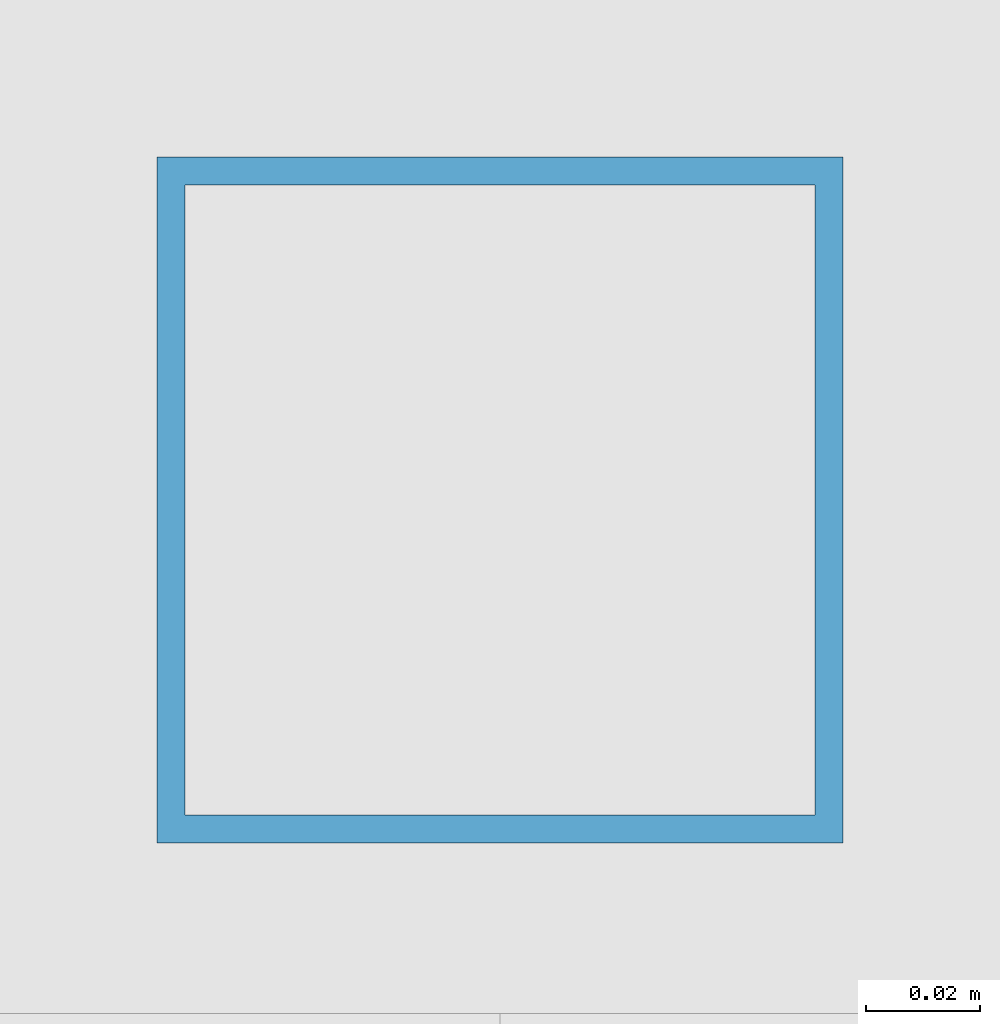
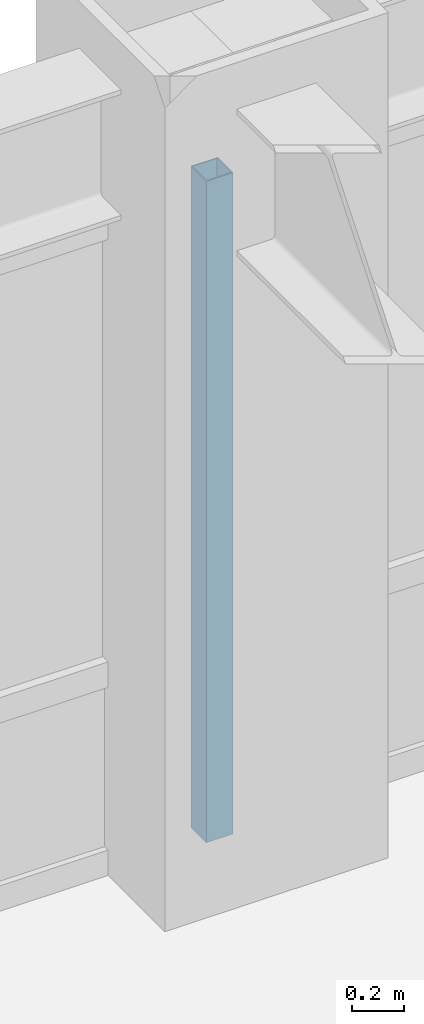
# One storey, part 16 of 29: 1 member, 1 element without a shape of its own.
"""IFC4 building model written with IfcOpenShell, lengths in metres."""

import ifcopenshell
import ifcopenshell.guid

model = None  # the IFC model being written
_history = None  # IfcOwnerHistory: only IFC2X3 demands one
_inside = {}  # id of a spatial element -> (the spatial element, [elements in it])
_under = {}  # id of a project, library or spatial element -> (it, [spatial elements below it])
_declared = {}  # id of a project -> (the project, [libraries it declares])
_typed = {}  # id of a type object -> (the type object, [elements of that type])
_made_of = {}  # id of a material, layer set ... -> (it, [elements and type objects made of it])


def new_model(schema):
    """Start an empty IFC model of exactly this schema.

    Asked for "IFC4X3", IfcOpenShell would pick the latest addendum, in which some entities
    have other attributes; the version numbers below select the first issue.
    IFC2X3 requires an IfcOwnerHistory on every rooted entity: one is made here for all.
    """
    global model, _history
    if schema == "IFC4X3":
        model = ifcopenshell.file(schema_version=(4, 3, 0, 0))
    else:
        model = ifcopenshell.file(schema=schema)
    _inside.clear()
    _under.clear()
    _declared.clear()
    _typed.clear()
    _made_of.clear()
    _history = None
    if model.schema == "IFC2X3":
        org = make("IfcOrganization", Name="unknown")
        user = make(
            "IfcPersonAndOrganization",
            ThePerson=make("IfcPerson", FamilyName="unknown"),
            TheOrganization=org,
        )
        app = make(
            "IfcApplication",
            ApplicationDeveloper=org,
            Version="unknown",
            ApplicationFullName="unknown",
            ApplicationIdentifier="unknown",
        )
        _history = make(
            "IfcOwnerHistory",
            OwningUser=user,
            OwningApplication=app,
            ChangeAction="ADDED",
            CreationDate=0,
        )
    return model


def make(cls, **values):
    """One entity of the class cls with the attributes given. An attribute that is None is left unset."""
    return model.create_entity(
        cls, **{name: value for name, value in values.items() if value is not None}
    )


def rooted(cls, **values):
    """An entity with a GlobalId (a new one), such as an element, a storey or a relation."""
    return make(cls, GlobalId=ifcopenshell.guid.new(), OwnerHistory=_history, **values)


def si_unit(unit_type, name, prefix=None):
    """IfcSIUnit, for example si_unit("LENGTHUNIT", "METRE", prefix="MILLI")."""
    return make("IfcSIUnit", UnitType=unit_type, Prefix=prefix, Name=name)


def assignment(units):
    """IfcUnitAssignment: the units of a project."""
    return None if units is None else make("IfcUnitAssignment", Units=units)


def point(xyz):
    """IfcCartesianPoint."""
    return None if xyz is None else make("IfcCartesianPoint", Coordinates=xyz)


def direction(xyz):
    """IfcDirection."""
    return None if xyz is None else make("IfcDirection", DirectionRatios=xyz)


def frame(location, z_axis=None, x_axis=None):
    """IfcAxis2Placement3D, a coordinate frame: its origin and axes. An axis left out is left unset."""
    return make(
        "IfcAxis2Placement3D",
        Location=point(location),
        Axis=direction(z_axis),
        RefDirection=direction(x_axis),
    )


def frame_2d(location, x_axis=None):
    """IfcAxis2Placement2D, a coordinate frame in the plane: its origin and x axis."""
    return make(
        "IfcAxis2Placement2D", Location=point(location), RefDirection=direction(x_axis)
    )


def origin():
    """The frame at (0, 0, 0) with its axes left unset."""
    return frame((0.0, 0.0, 0.0))


def origin_2d():
    """The frame at (0, 0) in the plane with its x axis left unset."""
    return frame_2d((0.0, 0.0))


def place(relative_to, where):
    """IfcLocalPlacement: puts the frame where relative to a parent placement (None: the world)."""
    return make(
        "IfcLocalPlacement", PlacementRelTo=relative_to, RelativePlacement=where
    )


def context(
    kind, dimensions, precision=None, world=None, true_north=None, identifier=None
):
    """IfcGeometricRepresentationContext, for example the 3D "Model" context."""
    return make(
        "IfcGeometricRepresentationContext",
        ContextIdentifier=identifier,
        ContextType=kind,
        CoordinateSpaceDimension=dimensions,
        Precision=precision,
        WorldCoordinateSystem=world,
        TrueNorth=true_north,
    )


def subcontext(parent, identifier, kind, view, scale=None):
    """IfcGeometricRepresentationSubContext, for example "Body" below "Model"."""
    return make(
        "IfcGeometricRepresentationSubContext",
        ContextIdentifier=identifier,
        ContextType=kind,
        ParentContext=parent,
        TargetScale=scale,
        TargetView=view,
    )


def project(units=None, contexts=None):
    """IfcProject with its units and contexts."""
    return rooted(
        "IfcProject",
        Name="project",
        RepresentationContexts=contexts,
        UnitsInContext=assignment(units),
    )


def spatial(cls, under=None, at=None, **own):
    """A site, building, storey or space (cls), placed at a placement, below another one or the project."""
    s = rooted(cls, ObjectPlacement=at, **own)
    if under is not None:
        _under.setdefault(under.id(), (under, []))[1].append(s)
    return s


def profile(cls, at=None, kind="AREA", **sizes):
    """A parametric profile (cls). Its sizes go by their IFC names, for example OverallWidth=200.0."""
    return make(cls, ProfileType=kind, Position=at, **sizes)


def hollow_rectangle(**sizes):
    """IfcRectangleHollowProfileDef."""
    return profile("IfcRectangleHollowProfileDef", **sizes)


def extrude(swept, where, along, depth):
    """IfcExtrudedAreaSolid: the profile swept, set in the frame where, extruded along a direction by depth."""
    return make(
        "IfcExtrudedAreaSolid",
        SweptArea=swept,
        Position=where,
        ExtrudedDirection=direction(along),
        Depth=depth,
    )


def shape(context_of_items, identifier, shape_type, items):
    """IfcShapeRepresentation: the items that make up one representation, for example the "Body"."""
    return make(
        "IfcShapeRepresentation",
        ContextOfItems=context_of_items,
        RepresentationIdentifier=identifier,
        RepresentationType=shape_type,
        Items=items,
    )


def source(mapping_origin, context_of_items, identifier, shape_type, items):
    """IfcRepresentationMap: a shape defined once, which mapped items show again and again."""
    return make(
        "IfcRepresentationMap",
        MappingOrigin=mapping_origin,
        MappedRepresentation=shape(context_of_items, identifier, shape_type, items),
    )


def transform(
    local_origin,
    x_axis=None,
    y_axis=None,
    z_axis=None,
    scale=None,
    scale2=None,
    scale3=None,
    uniform=True,
):
    """IfcCartesianTransformationOperator3D, or its non-uniform kind. x_axis, y_axis, z_axis: its Axis1, 2, 3."""
    if uniform:
        return make(
            "IfcCartesianTransformationOperator3D",
            Axis1=direction(x_axis),
            Axis2=direction(y_axis),
            LocalOrigin=point(local_origin),
            Scale=scale,
            Axis3=direction(z_axis),
        )
    return make(
        "IfcCartesianTransformationOperator3DnonUniform",
        Axis1=direction(x_axis),
        Axis2=direction(y_axis),
        LocalOrigin=point(local_origin),
        Scale=scale,
        Axis3=direction(z_axis),
        Scale2=scale2,
        Scale3=scale3,
    )


def mapped(mapping_source, mapping_target):
    """IfcMappedItem: shows the shape of a source again, moved by a transform."""
    return make(
        "IfcMappedItem", MappingSource=mapping_source, MappingTarget=mapping_target
    )


def material(Name=None, Category=None):
    """IfcMaterial."""
    return make("IfcMaterial", Name=Name, Category=Category)


def material_profile(
    of_material, cross_section, Name=None, Category=None, Priority=None
):
    """IfcMaterialProfile: a cross section and its material."""
    return make(
        "IfcMaterialProfile",
        Name=Name,
        Material=of_material,
        Profile=cross_section,
        Priority=Priority,
        Category=Category,
    )


def profile_set(profiles, Name=None, composite=None):
    """IfcMaterialProfileSet."""
    return make(
        "IfcMaterialProfileSet",
        Name=Name,
        MaterialProfiles=profiles,
        CompositeProfile=composite,
    )


def made_of(thing, what):
    """Note that an element or type object is made of a material, layer set ...; save() writes the relation."""
    if what is not None:
        _made_of.setdefault(what.id(), (what, []))[1].append(thing)
    return thing


def type_object(cls, material=None, **own):
    """A type object (cls), such as IfcWallType, which elements share."""
    return made_of(rooted(cls, **own), material)


def element(
    cls,
    number,
    at=None,
    inside=None,
    cuts=None,
    type_object=None,
    material=None,
    context=None,
    identifier="Body",
    shape_type=None,
    held_by="IfcProductDefinitionShape",
    body=None,
    shapes=None,
    **own,
):
    """One element of the class cls, such as IfcWall. Its Tag is "e" and its number.

    at: its placement. inside: the storey or other place that contains it. cuts: it is an
    opening in that element (IfcRelVoidsElement). A single representation is given by context,
    identifier, shape_type and body (its items); several are given by shapes. held_by: the class
    of the entity that holds the representations. save() writes the other relations.
    """
    e = rooted(cls, Tag="e%d" % number, ObjectPlacement=at, **own)
    if body is not None:
        shapes = [shape(context, identifier, shape_type, body)]
    if shapes is not None:
        e.Representation = make(held_by, Representations=shapes)
    if inside is not None:
        _inside.setdefault(inside.id(), (inside, []))[1].append(e)
    if cuts is not None:
        rooted(
            "IfcRelVoidsElement", RelatingBuildingElement=cuts, RelatedOpeningElement=e
        )
    if type_object is not None:
        _typed.setdefault(type_object.id(), (type_object, []))[1].append(e)
    return made_of(e, material)


def aggregate(whole, parts):
    """IfcRelAggregates: a whole, such as a stair, and the parts it consists of."""
    return rooted("IfcRelAggregates", RelatingObject=whole, RelatedObjects=parts)


def save(model, path):
    """Write the relations noted so far, then the file.

    IfcRelAggregates (storeys below a building ...), IfcRelContainedInSpatialStructure (elements
    in a storey), IfcRelDefinesByType, IfcRelAssociatesMaterial and IfcRelDeclares: one each for
    every whole, place, type object, material and project.
    """
    for whole, parts in _under.values():
        aggregate(whole, parts)
    for where, things in _inside.values():
        rooted(
            "IfcRelContainedInSpatialStructure",
            RelatedElements=things,
            RelatingStructure=where,
        )
    for kind, things in _typed.values():
        rooted("IfcRelDefinesByType", RelatedObjects=things, RelatingType=kind)
    for what, things in _made_of.values():
        rooted("IfcRelAssociatesMaterial", RelatedObjects=things, RelatingMaterial=what)
    for by, libraries in _declared.values():
        rooted("IfcRelDeclares", RelatingContext=by, RelatedDefinitions=libraries)
    model.write(path)


model = new_model("IFC4")

# Units and contexts
model_context = context("Model", 3, precision=1e-05, world=origin(), true_north=direction((0.0, 1.0)))
body_context = subcontext(model_context, "Body", "Model", "MODEL_VIEW")
ifc_project = project(units=[si_unit("LENGTHUNIT", "METRE"), si_unit("AREAUNIT", "SQUARE_METRE"), si_unit("VOLUMEUNIT", "CUBIC_METRE"), si_unit("PLANEANGLEUNIT", "RADIAN"), si_unit("MASSUNIT", "GRAM", prefix="KILO")], contexts=[model_context])

# Site, building, storey
site_placement = place(None, origin())
site = spatial("IfcSite", under=ifc_project, at=site_placement, CompositionType="ELEMENT")
building_placement = place(site_placement, origin())
building = spatial("IfcBuilding", under=site, at=building_placement, Name="Khorayat Bourse Tower", CompositionType="ELEMENT")
storey_placement = place(building_placement, frame((0.0, 0.0, 243.10009765625)))
storey = spatial("IfcBuildingStorey", under=building, at=storey_placement, Name="L57", CompositionType="ELEMENT", Elevation=243.10009765625)

# Curtain wall, member
ifc_material = material(Name="Aluminium EN AW-6063 T6", Category="aluminium")
curtain_wall_type = type_object("IfcCurtainWallType", Name="CW-SYS-03", PredefinedType="NOTDEFINED", material=ifc_material)
curtain_wall_placement = place(storey_placement, origin())
curtain_wall = element("IfcCurtainWall", 1, at=curtain_wall_placement, inside=storey, type_object=curtain_wall_type, Name="L57 Curtain Wall CW-L57-N1", PredefinedType="NOTDEFINED")
ifc_material_profile = material_profile(ifc_material, hollow_rectangle(XDim=0.1201171875, YDim=0.1201171875, WallThickness=0.0048828125, at=origin_2d()), Name="ALU 120x120x5")
ifc_profile_set = profile_set([ifc_material_profile], Name="Aluminium EN AW-6063 T6")
member_type = type_object("IfcMemberType", Name="CWM-VERT-120", PredefinedType="MULLION", material=ifc_profile_set)
shared_shape = source(origin(), body_context, "Body", "SweptSolid", [
    extrude(hollow_rectangle(XDim=0.1201171875, YDim=0.1201171875, WallThickness=0.0048828125, at=origin_2d()), origin(), (0.0, 0.0, 1.0), 3.1298828125),
])
member_placement = place(storey_placement, frame((0.0, 30.0, 0.0), z_axis=(0.0, 0.0, 1.0), x_axis=(0.0, 1.0, 0.0)))
member = element("IfcMember", 2, at=member_placement, type_object=member_type, Name="CW-L57-N1 Vertical Mullion 2", PredefinedType="MULLION", context=body_context, shape_type="MappedRepresentation", body=[
    mapped(shared_shape, transform((0.0, 0.0, 0.0), scale=1.0)),
])
aggregate(curtain_wall, [member])

save(model, "model.ifc")
